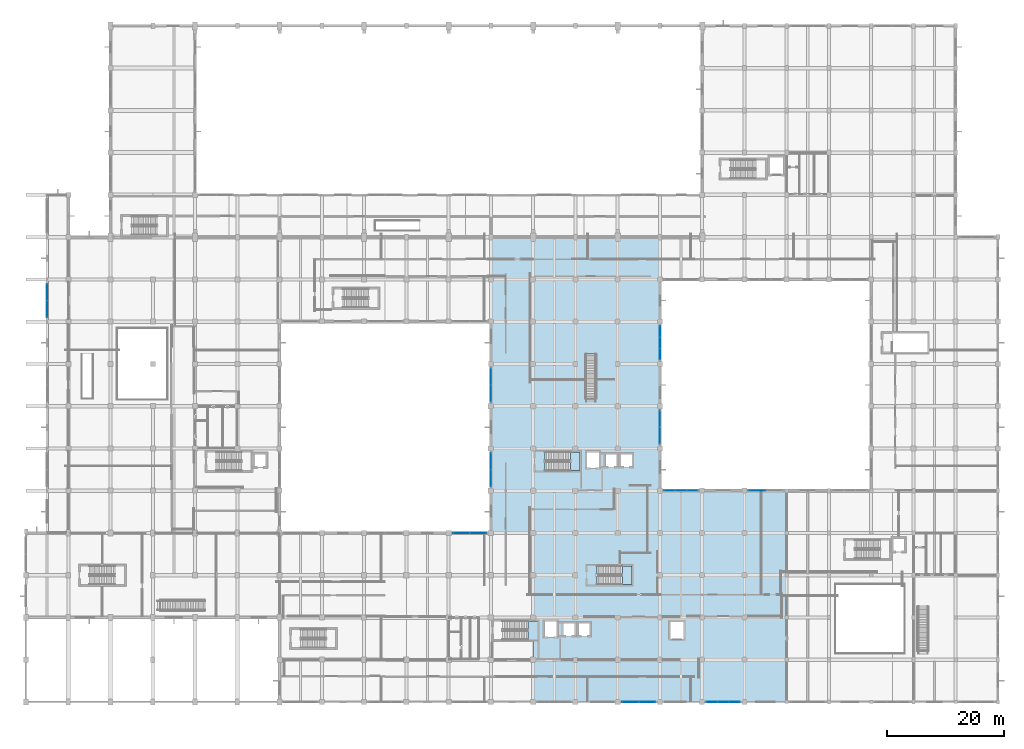
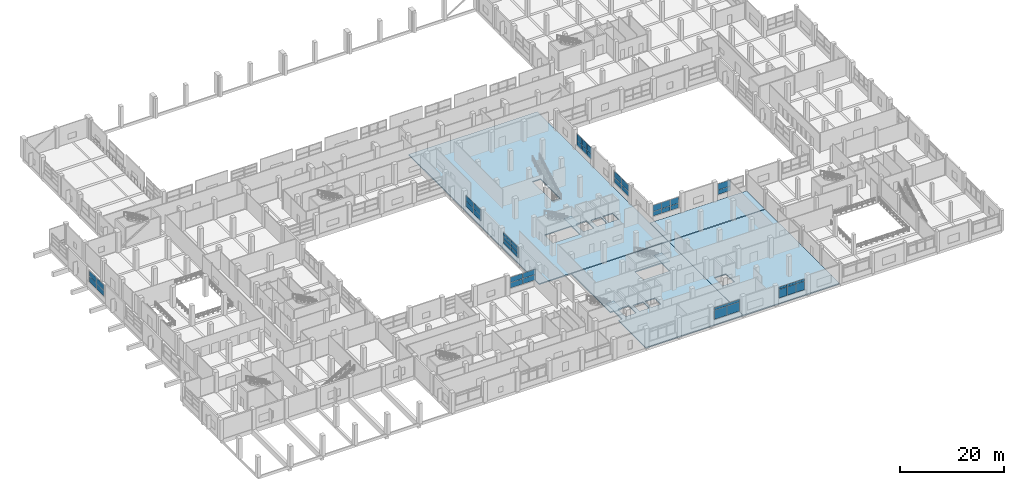
# One storey, part 147 of 181: 46 plates, 7 slabs, 13 elements without a shape of their own.
"""IFC4 building model written with IfcOpenShell, lengths in metres."""

from ifc_helpers import new_model, si_unit, direction, frame, origin, origin_2d, place, context, subcontext, project, spatial, polyline, rectangle, outline, extrude, material, layer, layer_set, type_object, element, aggregate, save


model = new_model("IFC4")

# Units and contexts
model_context = context("Model", 3, precision=1e-05, world=origin(), true_north=direction((0.0, 1.0)))
body_context = subcontext(model_context, "Body", "Model", "MODEL_VIEW")
ifc_project = project(units=[si_unit("LENGTHUNIT", "METRE"), si_unit("AREAUNIT", "SQUARE_METRE"), si_unit("VOLUMEUNIT", "CUBIC_METRE"), si_unit("PLANEANGLEUNIT", "RADIAN"), si_unit("MASSUNIT", "GRAM", prefix="KILO")], contexts=[model_context])

# Site, building, storey
site_placement = place(None, origin())
site = spatial("IfcSite", under=ifc_project, at=site_placement, CompositionType="ELEMENT")
building_placement = place(site_placement, origin())
building = spatial("IfcBuilding", under=site, at=building_placement, Name="Seraya Terrace Polytechnic", CompositionType="ELEMENT")
storey_placement = place(building_placement, frame((0.0, 0.0, 4.800048828125)))
storey = spatial("IfcBuildingStorey", under=building, at=storey_placement, Name="L01", CompositionType="ELEMENT", Elevation=4.800048828125)

# Curtain wall, plates
ifc_material_1 = material(Name="Anodised aluminium EN AW-6063 T6", Category="aluminium")
ifc_layer_1 = layer(ifc_material_1, 0.179931640625, Name="CW-04")
ifc_layer_set_1 = layer_set([ifc_layer_1], Name="Anodised aluminium EN AW-6063 T6")
curtain_wall_type_1 = type_object("IfcCurtainWallType", Name="CW-04", PredefinedType="NOTDEFINED", material=ifc_layer_set_1)
curtain_wall_1_placement = place(storey_placement, origin())
curtain_wall_1 = element("IfcCurtainWall", 1, at=curtain_wall_1_placement, inside=storey, type_object=curtain_wall_type_1, Name="Unitised curtain wall CW-04 (CW-L01-004)", PredefinedType="NOTDEFINED")
ifc_material_2 = material(Name="Laminated solar-control Low-E double glazing", Category="glass")
ifc_layer_2 = layer(ifc_material_2, 0.028076171875, Name="CWP-01")
ifc_layer_set_2 = layer_set([ifc_layer_2], Name="Laminated solar-control Low-E double glazing")
plate_type_1 = type_object("IfcPlateType", Name="CWP-01", PredefinedType="CURTAIN_PANEL", material=ifc_layer_set_2)
plate_1_placement = place(storey_placement, frame((3.60009765625, 66.976318359375, 1.300048828125), z_axis=(0.0, 0.0, 1.0), x_axis=(0.0, 1.0, 0.0)))
plate_1 = element("IfcPlate", 2, at=plate_1_placement, type_object=plate_type_1, Name="CW-04 panel 1.1", PredefinedType="CURTAIN_PANEL", context=body_context, shape_type="SweptSolid", body=[
    extrude(rectangle(XDim=2.782470703125, YDim=0.028076171875, at=origin_2d()), origin(), (0.0, 0.0, 1.0), 1.2900390625),
])
plate_2_placement = place(storey_placement, frame((3.60009765625, 66.976318359375, 2.64990234375), z_axis=(0.0, 0.0, 1.0), x_axis=(0.0, 1.0, 0.0)))
plate_2 = element("IfcPlate", 3, at=plate_2_placement, type_object=plate_type_1, Name="CW-04 panel 1.2", PredefinedType="CURTAIN_PANEL", context=body_context, shape_type="SweptSolid", body=[
    extrude(rectangle(XDim=2.782470703125, YDim=0.028076171875, at=origin_2d()), origin(), (0.0, 0.0, 1.0), 1.2900390625),
])
plate_3_placement = place(storey_placement, frame((3.60009765625, 69.82373046875, 1.300048828125), z_axis=(0.0, 0.0, 1.0), x_axis=(0.0, 1.0, 0.0)))
plate_3 = element("IfcPlate", 4, at=plate_3_placement, type_object=plate_type_1, Name="CW-04 panel 2.1", PredefinedType="CURTAIN_PANEL", context=body_context, shape_type="SweptSolid", body=[
    extrude(rectangle(XDim=2.782470703125, YDim=0.028076171875, at=origin_2d()), origin(), (0.0, 0.0, 1.0), 1.2900390625),
])
plate_4_placement = place(storey_placement, frame((3.60009765625, 69.82373046875, 2.64990234375), z_axis=(0.0, 0.0, 1.0), x_axis=(0.0, 1.0, 0.0)))
plate_4 = element("IfcPlate", 5, at=plate_4_placement, type_object=plate_type_1, Name="CW-04 panel 2.2", PredefinedType="CURTAIN_PANEL", context=body_context, shape_type="SweptSolid", body=[
    extrude(rectangle(XDim=2.782470703125, YDim=0.028076171875, at=origin_2d()), origin(), (0.0, 0.0, 1.0), 1.2900390625),
])
aggregate(curtain_wall_1, [plate_1, plate_2, plate_3, plate_4])

ifc_layer_3 = layer(ifc_material_1, 0.179931640625, Name="CW-31")
ifc_layer_set_3 = layer_set([ifc_layer_3], Name="Anodised aluminium EN AW-6063 T6")
curtain_wall_type_2 = type_object("IfcCurtainWallType", Name="CW-31", PredefinedType="NOTDEFINED", material=ifc_layer_set_3)
curtain_wall_2_placement = place(storey_placement, origin())
curtain_wall_2 = element("IfcCurtainWall", 6, at=curtain_wall_2_placement, inside=storey, type_object=curtain_wall_type_2, Name="Unitised curtain wall CW-31 (CW-L01-031)", PredefinedType="NOTDEFINED")
plate_5_placement = place(storey_placement, frame((105.82373046875, 0.0, 1.2998046875), z_axis=(0.0, 0.0, 1.0), x_axis=(-1.0, 0.0, 0.0)))
plate_5 = element("IfcPlate", 7, at=plate_5_placement, type_object=plate_type_1, Name="CW-31 panel 1.1", PredefinedType="CURTAIN_PANEL", context=body_context, shape_type="SweptSolid", body=[
    extrude(rectangle(XDim=2.782470703125, YDim=0.028076171875, at=origin_2d()), origin(), (0.0, 0.0, 1.0), 2.159912109375),
])
plate_6_placement = place(storey_placement, frame((105.82373046875, 0.0, 3.52001953125), z_axis=(0.0, 0.0, 1.0), x_axis=(-1.0, 0.0, 0.0)))
plate_6 = element("IfcPlate", 8, at=plate_6_placement, type_object=plate_type_1, Name="CW-31 panel 1.2", PredefinedType="CURTAIN_PANEL", context=body_context, shape_type="SweptSolid", body=[
    extrude(rectangle(XDim=2.782470703125, YDim=0.028076171875, at=origin_2d()), origin(), (0.0, 0.0, 1.0), 0.530029296875),
])
plate_7_placement = place(storey_placement, frame((102.976318359375, 0.0, 1.2998046875), z_axis=(0.0, 0.0, 1.0), x_axis=(-1.0, 0.0, 0.0)))
plate_7 = element("IfcPlate", 9, at=plate_7_placement, type_object=plate_type_1, Name="CW-31 panel 2.1", PredefinedType="CURTAIN_PANEL", context=body_context, shape_type="SweptSolid", body=[
    extrude(rectangle(XDim=2.782470703125, YDim=0.028076171875, at=origin_2d()), origin(), (0.0, 0.0, 1.0), 2.159912109375),
])
plate_8_placement = place(storey_placement, frame((102.976318359375, 0.0, 3.52001953125), z_axis=(0.0, 0.0, 1.0), x_axis=(-1.0, 0.0, 0.0)))
plate_8 = element("IfcPlate", 10, at=plate_8_placement, type_object=plate_type_1, Name="CW-31 panel 2.2", PredefinedType="CURTAIN_PANEL", context=body_context, shape_type="SweptSolid", body=[
    extrude(rectangle(XDim=2.782470703125, YDim=0.028076171875, at=origin_2d()), origin(), (0.0, 0.0, 1.0), 0.530029296875),
])
aggregate(curtain_wall_2, [plate_5, plate_6, plate_7, plate_8])

curtain_wall_3_placement = place(storey_placement, origin())
curtain_wall_3 = element("IfcCurtainWall", 11, at=curtain_wall_3_placement, inside=storey, type_object=curtain_wall_type_1, Name="Unitised curtain wall CW-04 (CW-L01-040)", PredefinedType="NOTDEFINED")
plate_9_placement = place(storey_placement, frame((74.17626953125, 28.800048828125, 1.300048828125), z_axis=(0.0, 0.0, 1.0), x_axis=(1.0, 0.0, 0.0)))
plate_9 = element("IfcPlate", 12, at=plate_9_placement, type_object=plate_type_1, Name="CW-04 panel 1.1", PredefinedType="CURTAIN_PANEL", context=body_context, shape_type="SweptSolid", body=[
    extrude(rectangle(XDim=2.782470703125, YDim=0.028076171875, at=origin_2d()), origin(), (0.0, 0.0, 1.0), 1.22998046875),
])
plate_10_placement = place(storey_placement, frame((74.17626953125, 28.800048828125, 2.58984375), z_axis=(0.0, 0.0, 1.0), x_axis=(1.0, 0.0, 0.0)))
plate_10 = element("IfcPlate", 13, at=plate_10_placement, type_object=plate_type_1, Name="CW-04 panel 1.2", PredefinedType="CURTAIN_PANEL", context=body_context, shape_type="SweptSolid", body=[
    extrude(rectangle(XDim=2.782470703125, YDim=0.028076171875, at=origin_2d()), origin(), (0.0, 0.0, 1.0), 1.22998046875),
])
plate_11_placement = place(storey_placement, frame((77.023681640625, 28.800048828125, 1.300048828125), z_axis=(0.0, 0.0, 1.0), x_axis=(1.0, 0.0, 0.0)))
plate_11 = element("IfcPlate", 14, at=plate_11_placement, type_object=plate_type_1, Name="CW-04 panel 2.1", PredefinedType="CURTAIN_PANEL", context=body_context, shape_type="SweptSolid", body=[
    extrude(rectangle(XDim=2.782470703125, YDim=0.028076171875, at=origin_2d()), origin(), (0.0, 0.0, 1.0), 1.22998046875),
])
plate_12_placement = place(storey_placement, frame((77.023681640625, 28.800048828125, 2.58984375), z_axis=(0.0, 0.0, 1.0), x_axis=(1.0, 0.0, 0.0)))
plate_12 = element("IfcPlate", 15, at=plate_12_placement, type_object=plate_type_1, Name="CW-04 panel 2.2", PredefinedType="CURTAIN_PANEL", context=body_context, shape_type="SweptSolid", body=[
    extrude(rectangle(XDim=2.782470703125, YDim=0.028076171875, at=origin_2d()), origin(), (0.0, 0.0, 1.0), 1.22998046875),
])
aggregate(curtain_wall_3, [plate_9, plate_10, plate_11, plate_12])

ifc_layer_4 = layer(ifc_material_1, 0.179931640625, Name="CW-16")
ifc_layer_set_4 = layer_set([ifc_layer_4], Name="Anodised aluminium EN AW-6063 T6")
curtain_wall_type_3 = type_object("IfcCurtainWallType", Name="CW-16", PredefinedType="NOTDEFINED", material=ifc_layer_set_4)
curtain_wall_4_placement = place(storey_placement, origin())
curtain_wall_4 = element("IfcCurtainWall", 16, at=curtain_wall_4_placement, inside=storey, type_object=curtain_wall_type_3, Name="Unitised curtain wall CW-16 (CW-L01-052)", PredefinedType="NOTDEFINED")
plate_13_placement = place(storey_placement, frame((108.0, 48.2236328125, 1.2998046875), z_axis=(0.0, 0.0, 1.0), x_axis=(0.0, -1.0, 0.0)))
plate_13 = element("IfcPlate", 17, at=plate_13_placement, type_object=plate_type_1, Name="CW-16 panel 1.1", PredefinedType="CURTAIN_PANEL", context=body_context, shape_type="SweptSolid", body=[
    extrude(rectangle(XDim=2.782470703125, YDim=0.028076171875, at=origin_2d()), origin(), (0.0, 0.0, 1.0), 1.069091796875),
])
plate_14_placement = place(storey_placement, frame((108.0, 48.2236328125, 2.42919921875), z_axis=(0.0, 0.0, 1.0), x_axis=(0.0, -1.0, 0.0)))
plate_14 = element("IfcPlate", 18, at=plate_14_placement, type_object=plate_type_1, Name="CW-16 panel 1.2", PredefinedType="CURTAIN_PANEL", context=body_context, shape_type="SweptSolid", body=[
    extrude(rectangle(XDim=2.782470703125, YDim=0.028076171875, at=origin_2d()), origin(), (0.0, 0.0, 1.0), 1.5107421875),
])
plate_15_placement = place(storey_placement, frame((108.0, 45.376220703125, 1.2998046875), z_axis=(0.0, 0.0, 1.0), x_axis=(0.0, -1.0, 0.0)))
plate_15 = element("IfcPlate", 19, at=plate_15_placement, type_object=plate_type_1, Name="CW-16 panel 2.1", PredefinedType="CURTAIN_PANEL", context=body_context, shape_type="SweptSolid", body=[
    extrude(rectangle(XDim=2.782470703125, YDim=0.028076171875, at=origin_2d()), origin(), (0.0, 0.0, 1.0), 1.069091796875),
])
plate_16_placement = place(storey_placement, frame((108.0, 45.376220703125, 2.42919921875), z_axis=(0.0, 0.0, 1.0), x_axis=(0.0, -1.0, 0.0)))
plate_16 = element("IfcPlate", 20, at=plate_16_placement, type_object=plate_type_1, Name="CW-16 panel 2.2", PredefinedType="CURTAIN_PANEL", context=body_context, shape_type="SweptSolid", body=[
    extrude(rectangle(XDim=2.782470703125, YDim=0.028076171875, at=origin_2d()), origin(), (0.0, 0.0, 1.0), 1.5107421875),
])
aggregate(curtain_wall_4, [plate_13, plate_14, plate_15, plate_16])

ifc_layer_5 = layer(ifc_material_1, 0.179931640625, Name="CW-05")
ifc_layer_set_5 = layer_set([ifc_layer_5], Name="Anodised aluminium EN AW-6063 T6")
curtain_wall_type_4 = type_object("IfcCurtainWallType", Name="CW-05", PredefinedType="NOTDEFINED", material=ifc_layer_set_5)
curtain_wall_5_placement = place(storey_placement, origin())
curtain_wall_5 = element("IfcCurtainWall", 21, at=curtain_wall_5_placement, inside=storey, type_object=curtain_wall_type_4, Name="Unitised curtain wall CW-05 (CW-L01-041)", PredefinedType="NOTDEFINED")
ifc_layer_6 = layer(ifc_material_2, 0.031982421875, Name="CWP-02")
ifc_layer_set_6 = layer_set([ifc_layer_6], Name="Laminated solar-control Low-E double glazing")
plate_type_2 = type_object("IfcPlateType", Name="CWP-02", PredefinedType="CURTAIN_PANEL", material=ifc_layer_set_6)
plate_17_placement = place(storey_placement, frame((79.199951171875, 38.175048828125, 1.300048828125), z_axis=(0.0, 0.0, 1.0), x_axis=(0.0, 1.0, 0.0)))
plate_17 = element("IfcPlate", 22, at=plate_17_placement, type_object=plate_type_2, Name="CW-05 panel 1.1", PredefinedType="CURTAIN_PANEL", context=body_context, shape_type="SweptSolid", body=[
    extrude(rectangle(XDim=2.7900390625, YDim=0.031982421875, at=origin_2d()), origin(), (0.0, 0.0, 1.0), 0.88916015625),
])
plate_18_placement = place(storey_placement, frame((79.199951171875, 38.175048828125, 2.2490234375), z_axis=(0.0, 0.0, 1.0), x_axis=(0.0, 1.0, 0.0)))
plate_18 = element("IfcPlate", 23, at=plate_18_placement, type_object=plate_type_2, Name="CW-05 panel 1.2", PredefinedType="CURTAIN_PANEL", context=body_context, shape_type="SweptSolid", body=[
    extrude(rectangle(XDim=2.7900390625, YDim=0.031982421875, at=origin_2d()), origin(), (0.0, 0.0, 1.0), 0.919189453125),
])
plate_19_placement = place(storey_placement, frame((79.199951171875, 38.175048828125, 3.228515625), z_axis=(0.0, 0.0, 1.0), x_axis=(0.0, 1.0, 0.0)))
plate_19 = element("IfcPlate", 24, at=plate_19_placement, type_object=plate_type_2, Name="CW-05 panel 1.3", PredefinedType="CURTAIN_PANEL", context=body_context, shape_type="SweptSolid", body=[
    extrude(rectangle(XDim=2.7900390625, YDim=0.031982421875, at=origin_2d()), origin(), (0.0, 0.0, 1.0), 0.671630859375),
])
plate_20_placement = place(storey_placement, frame((79.199951171875, 41.02490234375, 1.300048828125), z_axis=(0.0, 0.0, 1.0), x_axis=(0.0, 1.0, 0.0)))
plate_20 = element("IfcPlate", 25, at=plate_20_placement, type_object=plate_type_2, Name="CW-05 panel 2.1", PredefinedType="CURTAIN_PANEL", context=body_context, shape_type="SweptSolid", body=[
    extrude(rectangle(XDim=2.7900390625, YDim=0.031982421875, at=origin_2d()), origin(), (0.0, 0.0, 1.0), 0.88916015625),
])
plate_21_placement = place(storey_placement, frame((79.199951171875, 41.02490234375, 2.2490234375), z_axis=(0.0, 0.0, 1.0), x_axis=(0.0, 1.0, 0.0)))
plate_21 = element("IfcPlate", 26, at=plate_21_placement, type_object=plate_type_2, Name="CW-05 panel 2.2", PredefinedType="CURTAIN_PANEL", context=body_context, shape_type="SweptSolid", body=[
    extrude(rectangle(XDim=2.7900390625, YDim=0.031982421875, at=origin_2d()), origin(), (0.0, 0.0, 1.0), 0.919189453125),
])
plate_22_placement = place(storey_placement, frame((79.199951171875, 41.02490234375, 3.228515625), z_axis=(0.0, 0.0, 1.0), x_axis=(0.0, 1.0, 0.0)))
plate_22 = element("IfcPlate", 27, at=plate_22_placement, type_object=plate_type_2, Name="CW-05 panel 2.3", PredefinedType="CURTAIN_PANEL", context=body_context, shape_type="SweptSolid", body=[
    extrude(rectangle(XDim=2.7900390625, YDim=0.031982421875, at=origin_2d()), origin(), (0.0, 0.0, 1.0), 0.671630859375),
])
aggregate(curtain_wall_5, [plate_17, plate_18, plate_19, plate_20, plate_21, plate_22])

ifc_layer_7 = layer(ifc_material_1, 0.179931640625, Name="CW-17")
ifc_layer_set_7 = layer_set([ifc_layer_7], Name="Anodised aluminium EN AW-6063 T6")
curtain_wall_type_5 = type_object("IfcCurtainWallType", Name="CW-17", PredefinedType="NOTDEFINED", material=ifc_layer_set_7)
curtain_wall_6_placement = place(storey_placement, origin())
curtain_wall_6 = element("IfcCurtainWall", 28, at=curtain_wall_6_placement, inside=storey, type_object=curtain_wall_type_5, Name="Unitised curtain wall CW-17 (CW-L01-053)", PredefinedType="NOTDEFINED")
plate_23_placement = place(storey_placement, frame((109.695068359375, 36.0, 1.2998046875), z_axis=(0.0, 0.0, 1.0), x_axis=(1.0, 0.0, 0.0)))
plate_23 = element("IfcPlate", 29, at=plate_23_placement, type_object=plate_type_2, Name="CW-17 panel 1.1", PredefinedType="CURTAIN_PANEL", context=body_context, shape_type="SweptSolid", body=[
    extrude(rectangle(XDim=1.830078125, YDim=0.031982421875, at=origin_2d()), origin(), (0.0, 0.0, 1.0), 1.018798828125),
])
plate_24_placement = place(storey_placement, frame((109.695068359375, 36.0, 2.37890625), z_axis=(0.0, 0.0, 1.0), x_axis=(1.0, 0.0, 0.0)))
plate_24 = element("IfcPlate", 30, at=plate_24_placement, type_object=plate_type_2, Name="CW-17 panel 1.2", PredefinedType="CURTAIN_PANEL", context=body_context, shape_type="SweptSolid", body=[
    extrude(rectangle(XDim=1.830078125, YDim=0.031982421875, at=origin_2d()), origin(), (0.0, 0.0, 1.0), 1.441162109375),
])
plate_25_placement = place(storey_placement, frame((111.60009765625, 36.0, 1.2998046875), z_axis=(0.0, 0.0, 1.0), x_axis=(1.0, 0.0, 0.0)))
plate_25 = element("IfcPlate", 31, at=plate_25_placement, type_object=plate_type_2, Name="CW-17 panel 2.1", PredefinedType="CURTAIN_PANEL", context=body_context, shape_type="SweptSolid", body=[
    extrude(rectangle(XDim=1.860107421875, YDim=0.031982421875, at=origin_2d()), origin(), (0.0, 0.0, 1.0), 1.018798828125),
])
plate_26_placement = place(storey_placement, frame((111.60009765625, 36.0, 2.37890625), z_axis=(0.0, 0.0, 1.0), x_axis=(1.0, 0.0, 0.0)))
plate_26 = element("IfcPlate", 32, at=plate_26_placement, type_object=plate_type_2, Name="CW-17 panel 2.2", PredefinedType="CURTAIN_PANEL", context=body_context, shape_type="SweptSolid", body=[
    extrude(rectangle(XDim=1.860107421875, YDim=0.031982421875, at=origin_2d()), origin(), (0.0, 0.0, 1.0), 1.441162109375),
])
plate_27_placement = place(storey_placement, frame((113.5048828125, 36.0, 1.2998046875), z_axis=(0.0, 0.0, 1.0), x_axis=(1.0, 0.0, 0.0)))
plate_27 = element("IfcPlate", 33, at=plate_27_placement, type_object=plate_type_2, Name="CW-17 panel 3.1", PredefinedType="CURTAIN_PANEL", context=body_context, shape_type="SweptSolid", body=[
    extrude(rectangle(XDim=1.830078125, YDim=0.031982421875, at=origin_2d()), origin(), (0.0, 0.0, 1.0), 1.018798828125),
])
plate_28_placement = place(storey_placement, frame((113.5048828125, 36.0, 2.37890625), z_axis=(0.0, 0.0, 1.0), x_axis=(1.0, 0.0, 0.0)))
plate_28 = element("IfcPlate", 34, at=plate_28_placement, type_object=plate_type_2, Name="CW-17 panel 3.2", PredefinedType="CURTAIN_PANEL", context=body_context, shape_type="SweptSolid", body=[
    extrude(rectangle(XDim=1.830078125, YDim=0.031982421875, at=origin_2d()), origin(), (0.0, 0.0, 1.0), 1.441162109375),
])
aggregate(curtain_wall_6, [plate_23, plate_24, plate_25, plate_26, plate_27, plate_28])

ifc_layer_8 = layer(ifc_material_1, 0.179931640625, Name="CW-30")
ifc_layer_set_8 = layer_set([ifc_layer_8], Name="Anodised aluminium EN AW-6063 T6")
curtain_wall_type_6 = type_object("IfcCurtainWallType", Name="CW-30", PredefinedType="NOTDEFINED", material=ifc_layer_set_8)
curtain_wall_7_placement = place(storey_placement, origin())
curtain_wall_7 = element("IfcCurtainWall", 35, at=curtain_wall_7_placement, inside=storey, type_object=curtain_wall_type_6, Name="Unitised curtain wall CW-30 (CW-L01-030)", PredefinedType="NOTDEFINED")
ifc_layer_9 = layer(ifc_material_2, 0.035888671875, Name="CWP-03")
ifc_layer_set_9 = layer_set([ifc_layer_9], Name="Laminated solar-control Low-E double glazing")
plate_type_3 = type_object("IfcPlateType", Name="CWP-03", PredefinedType="CURTAIN_PANEL", material=ifc_layer_set_9)
plate_29_placement = place(storey_placement, frame((120.705078125, 0.0, 1.294921875), z_axis=(0.0, 0.0, 1.0), x_axis=(-1.0, 0.0, 0.0)))
plate_29 = element("IfcPlate", 36, at=plate_29_placement, type_object=plate_type_3, Name="CW-30 panel 1.1", PredefinedType="CURTAIN_PANEL", context=body_context, shape_type="SweptSolid", body=[
    extrude(rectangle(XDim=1.830078125, YDim=0.035888671875, at=origin_2d()), origin(), (0.0, 0.0, 1.0), 1.9775390625),
])
plate_30_placement = place(storey_placement, frame((120.705078125, 0.0, 3.327392578125), z_axis=(0.0, 0.0, 1.0), x_axis=(-1.0, 0.0, 0.0)))
plate_30 = element("IfcPlate", 37, at=plate_30_placement, type_object=plate_type_3, Name="CW-30 panel 1.2", PredefinedType="CURTAIN_PANEL", context=body_context, shape_type="SweptSolid", body=[
    extrude(rectangle(XDim=1.830078125, YDim=0.035888671875, at=origin_2d()), origin(), (0.0, 0.0, 1.0), 0.53759765625),
])
plate_31_placement = place(storey_placement, frame((118.800048828125, 0.0, 1.294921875), z_axis=(0.0, 0.0, 1.0), x_axis=(-1.0, 0.0, 0.0)))
plate_31 = element("IfcPlate", 38, at=plate_31_placement, type_object=plate_type_3, Name="CW-30 panel 2.1", PredefinedType="CURTAIN_PANEL", context=body_context, shape_type="SweptSolid", body=[
    extrude(rectangle(XDim=1.860107421875, YDim=0.035888671875, at=origin_2d()), origin(), (0.0, 0.0, 1.0), 1.9775390625),
])
plate_32_placement = place(storey_placement, frame((118.800048828125, 0.0, 3.327392578125), z_axis=(0.0, 0.0, 1.0), x_axis=(-1.0, 0.0, 0.0)))
plate_32 = element("IfcPlate", 39, at=plate_32_placement, type_object=plate_type_3, Name="CW-30 panel 2.2", PredefinedType="CURTAIN_PANEL", context=body_context, shape_type="SweptSolid", body=[
    extrude(rectangle(XDim=1.860107421875, YDim=0.035888671875, at=origin_2d()), origin(), (0.0, 0.0, 1.0), 0.53759765625),
])
plate_33_placement = place(storey_placement, frame((116.89501953125, 0.0, 1.294921875), z_axis=(0.0, 0.0, 1.0), x_axis=(-1.0, 0.0, 0.0)))
plate_33 = element("IfcPlate", 40, at=plate_33_placement, type_object=plate_type_3, Name="CW-30 panel 3.1", PredefinedType="CURTAIN_PANEL", context=body_context, shape_type="SweptSolid", body=[
    extrude(rectangle(XDim=1.830078125, YDim=0.035888671875, at=origin_2d()), origin(), (0.0, 0.0, 1.0), 1.9775390625),
])
plate_34_placement = place(storey_placement, frame((116.89501953125, 0.0, 3.327392578125), z_axis=(0.0, 0.0, 1.0), x_axis=(-1.0, 0.0, 0.0)))
plate_34 = element("IfcPlate", 41, at=plate_34_placement, type_object=plate_type_3, Name="CW-30 panel 3.2", PredefinedType="CURTAIN_PANEL", context=body_context, shape_type="SweptSolid", body=[
    extrude(rectangle(XDim=1.830078125, YDim=0.035888671875, at=origin_2d()), origin(), (0.0, 0.0, 1.0), 0.53759765625),
])
aggregate(curtain_wall_7, [plate_29, plate_30, plate_31, plate_32, plate_33, plate_34])

ifc_layer_10 = layer(ifc_material_1, 0.179931640625, Name="CW-06")
ifc_layer_set_10 = layer_set([ifc_layer_10], Name="Anodised aluminium EN AW-6063 T6")
curtain_wall_type_7 = type_object("IfcCurtainWallType", Name="CW-06", PredefinedType="NOTDEFINED", material=ifc_layer_set_10)
curtain_wall_8_placement = place(storey_placement, origin())
curtain_wall_8 = element("IfcCurtainWall", 42, at=curtain_wall_8_placement, inside=storey, type_object=curtain_wall_type_7, Name="Unitised curtain wall CW-06 (CW-L01-042)", PredefinedType="NOTDEFINED")
plate_35_placement = place(storey_placement, frame((79.199951171875, 52.574951171875, 1.294921875), z_axis=(0.0, 0.0, 1.0), x_axis=(0.0, 1.0, 0.0)))
plate_35 = element("IfcPlate", 43, at=plate_35_placement, type_object=plate_type_3, Name="CW-06 panel 1.1", PredefinedType="CURTAIN_PANEL", context=body_context, shape_type="SweptSolid", body=[
    extrude(rectangle(XDim=2.7900390625, YDim=0.035888671875, at=origin_2d()), origin(), (0.0, 0.0, 1.0), 1.257568359375),
])
plate_36_placement = place(storey_placement, frame((79.199951171875, 52.574951171875, 2.607421875), z_axis=(0.0, 0.0, 1.0), x_axis=(0.0, 1.0, 0.0)))
plate_36 = element("IfcPlate", 44, at=plate_36_placement, type_object=plate_type_3, Name="CW-06 panel 1.2", PredefinedType="CURTAIN_PANEL", context=body_context, shape_type="SweptSolid", body=[
    extrude(rectangle(XDim=2.7900390625, YDim=0.035888671875, at=origin_2d()), origin(), (0.0, 0.0, 1.0), 1.257568359375),
])
plate_37_placement = place(storey_placement, frame((79.199951171875, 55.425048828125, 1.294921875), z_axis=(0.0, 0.0, 1.0), x_axis=(0.0, 1.0, 0.0)))
plate_37 = element("IfcPlate", 45, at=plate_37_placement, type_object=plate_type_3, Name="CW-06 panel 2.1", PredefinedType="CURTAIN_PANEL", context=body_context, shape_type="SweptSolid", body=[
    extrude(rectangle(XDim=2.7900390625, YDim=0.035888671875, at=origin_2d()), origin(), (0.0, 0.0, 1.0), 1.257568359375),
])
plate_38_placement = place(storey_placement, frame((79.199951171875, 55.425048828125, 2.607421875), z_axis=(0.0, 0.0, 1.0), x_axis=(0.0, 1.0, 0.0)))
plate_38 = element("IfcPlate", 46, at=plate_38_placement, type_object=plate_type_3, Name="CW-06 panel 2.2", PredefinedType="CURTAIN_PANEL", context=body_context, shape_type="SweptSolid", body=[
    extrude(rectangle(XDim=2.7900390625, YDim=0.035888671875, at=origin_2d()), origin(), (0.0, 0.0, 1.0), 1.257568359375),
])
aggregate(curtain_wall_8, [plate_35, plate_36, plate_37, plate_38])

ifc_layer_11 = layer(ifc_material_1, 0.179931640625, Name="CW-15")
ifc_layer_set_11 = layer_set([ifc_layer_11], Name="Anodised aluminium EN AW-6063 T6")
curtain_wall_type_8 = type_object("IfcCurtainWallType", Name="CW-15", PredefinedType="NOTDEFINED", material=ifc_layer_set_11)
curtain_wall_9_placement = place(storey_placement, origin())
curtain_wall_9 = element("IfcCurtainWall", 47, at=curtain_wall_9_placement, inside=storey, type_object=curtain_wall_type_8, Name="Unitised curtain wall CW-15 (CW-L01-051)", PredefinedType="NOTDEFINED")
plate_39_placement = place(storey_placement, frame((108.0, 63.10498046875, 1.294921875), z_axis=(0.0, 0.0, 1.0), x_axis=(0.0, -1.0, 0.0)))
plate_39 = element("IfcPlate", 48, at=plate_39_placement, type_object=plate_type_3, Name="CW-15 panel 1.1", PredefinedType="CURTAIN_PANEL", context=body_context, shape_type="SweptSolid", body=[
    extrude(rectangle(XDim=1.830078125, YDim=0.035888671875, at=origin_2d()), origin(), (0.0, 0.0, 1.0), 1.093505859375),
])
plate_40_placement = place(storey_placement, frame((108.0, 63.10498046875, 2.443359375), z_axis=(0.0, 0.0, 1.0), x_axis=(0.0, -1.0, 0.0)))
plate_40 = element("IfcPlate", 49, at=plate_40_placement, type_object=plate_type_3, Name="CW-15 panel 1.2", PredefinedType="CURTAIN_PANEL", context=body_context, shape_type="SweptSolid", body=[
    extrude(rectangle(XDim=1.830078125, YDim=0.035888671875, at=origin_2d()), origin(), (0.0, 0.0, 1.0), 1.54150390625),
])
plate_41_placement = place(storey_placement, frame((108.0, 61.199951171875, 1.294921875), z_axis=(0.0, 0.0, 1.0), x_axis=(0.0, -1.0, 0.0)))
plate_41 = element("IfcPlate", 50, at=plate_41_placement, type_object=plate_type_3, Name="CW-15 panel 2.1", PredefinedType="CURTAIN_PANEL", context=body_context, shape_type="SweptSolid", body=[
    extrude(rectangle(XDim=1.860107421875, YDim=0.035888671875, at=origin_2d()), origin(), (0.0, 0.0, 1.0), 1.093505859375),
])
plate_42_placement = place(storey_placement, frame((108.0, 61.199951171875, 2.443359375), z_axis=(0.0, 0.0, 1.0), x_axis=(0.0, -1.0, 0.0)))
plate_42 = element("IfcPlate", 51, at=plate_42_placement, type_object=plate_type_3, Name="CW-15 panel 2.2", PredefinedType="CURTAIN_PANEL", context=body_context, shape_type="SweptSolid", body=[
    extrude(rectangle(XDim=1.860107421875, YDim=0.035888671875, at=origin_2d()), origin(), (0.0, 0.0, 1.0), 1.54150390625),
])
plate_43_placement = place(storey_placement, frame((108.0, 59.294921875, 1.294921875), z_axis=(0.0, 0.0, 1.0), x_axis=(0.0, -1.0, 0.0)))
plate_43 = element("IfcPlate", 52, at=plate_43_placement, type_object=plate_type_3, Name="CW-15 panel 3.1", PredefinedType="CURTAIN_PANEL", context=body_context, shape_type="SweptSolid", body=[
    extrude(rectangle(XDim=1.830078125, YDim=0.035888671875, at=origin_2d()), origin(), (0.0, 0.0, 1.0), 1.093505859375),
])
plate_44_placement = place(storey_placement, frame((108.0, 59.294921875, 2.443359375), z_axis=(0.0, 0.0, 1.0), x_axis=(0.0, -1.0, 0.0)))
plate_44 = element("IfcPlate", 53, at=plate_44_placement, type_object=plate_type_3, Name="CW-15 panel 3.2", PredefinedType="CURTAIN_PANEL", context=body_context, shape_type="SweptSolid", body=[
    extrude(rectangle(XDim=1.830078125, YDim=0.035888671875, at=origin_2d()), origin(), (0.0, 0.0, 1.0), 1.54150390625),
])
aggregate(curtain_wall_9, [plate_39, plate_40, plate_41, plate_42, plate_43, plate_44])

ifc_layer_12 = layer(ifc_material_1, 0.179931640625, Name="CW-18")
ifc_layer_set_12 = layer_set([ifc_layer_12], Name="Anodised aluminium EN AW-6063 T6")
curtain_wall_type_9 = type_object("IfcCurtainWallType", Name="CW-18", PredefinedType="NOTDEFINED", material=ifc_layer_set_12)
curtain_wall_10_placement = place(storey_placement, origin())
curtain_wall_10 = element("IfcCurtainWall", 54, at=curtain_wall_10_placement, inside=storey, type_object=curtain_wall_type_9, Name="Unitised curtain wall CW-18 (CW-L01-054)", PredefinedType="NOTDEFINED")
plate_45_placement = place(storey_placement, frame((124.574951171875, 36.0, 1.294921875), z_axis=(0.0, 0.0, 1.0), x_axis=(1.0, 0.0, 0.0)))
plate_45 = element("IfcPlate", 55, at=plate_45_placement, type_object=plate_type_3, Name="CW-18 panel 1.1", PredefinedType="CURTAIN_PANEL", context=body_context, shape_type="SweptSolid", body=[
    extrude(rectangle(XDim=2.7900390625, YDim=0.035888671875, at=origin_2d()), origin(), (0.0, 0.0, 1.0), 1.0263671875),
])
plate_46_placement = place(storey_placement, frame((124.574951171875, 36.0, 2.376220703125), z_axis=(0.0, 0.0, 1.0), x_axis=(1.0, 0.0, 0.0)))
plate_46 = element("IfcPlate", 56, at=plate_46_placement, type_object=plate_type_3, Name="CW-18 panel 1.2", PredefinedType="CURTAIN_PANEL", context=body_context, shape_type="SweptSolid", body=[
    extrude(rectangle(XDim=2.7900390625, YDim=0.035888671875, at=origin_2d()), origin(), (0.0, 0.0, 1.0), 1.44873046875),
])
aggregate(curtain_wall_10, [plate_45, plate_46])

# Slabs
ifc_material_3 = material(Name="Concrete C40/50", Category="concrete")
ifc_layer_13 = layer(ifc_material_3, 0.260009765625, Name="FS-02")
ifc_layer_set_13 = layer_set([ifc_layer_13], Name="Concrete C40/50")
slab_type_1 = type_object("IfcSlabType", Name="FS-02", PredefinedType="FLOOR", material=ifc_layer_set_13)
slab_1_placement = place(storey_placement, frame((0.0, 0.0, -0.260009765625)))
element("IfcSlab", 57, at=slab_1_placement, inside=storey, type_object=slab_type_1, Name="Floor slab SLB-V2-SOUTH-L01-S3 (FS-02)", PredefinedType="FLOOR", context=body_context, shape_type="SweptSolid", body=[
    extrude(outline(polyline([(108.0, 28.739990234375), (108.0, 0.06005859375), (86.405029296875, 0.06005859375), (86.405029296875, 10.60009765625), (87.199951171875, 10.60009765625), (87.199951171875, 13.800048828125), (86.405029296875, 13.800048828125), (86.405029296875, 28.739990234375), (108.0, 28.739990234375)]), holes=[polyline([(93.60009765625, 13.60009765625), (91.39990234375, 13.60009765625), (91.39990234375, 11.199951171875), (93.60009765625, 11.199951171875), (93.60009765625, 13.60009765625)]), polyline([(90.60009765625, 13.89990234375), (88.199951171875, 13.89990234375), (88.199951171875, 11.0), (90.60009765625, 11.0), (90.60009765625, 13.89990234375)]), polyline([(96.199951171875, 13.60009765625), (94.0, 13.60009765625), (94.0, 11.199951171875), (96.199951171875, 11.199951171875), (96.199951171875, 13.60009765625)]), polyline([(103.25, 23.199951171875), (97.2900390625, 23.199951171875), (97.2900390625, 20.0), (103.25, 20.0), (103.25, 23.199951171875)])]), origin(), (0.0, 0.0, 1.0), 0.260009765625),
])
slab_2_placement = place(storey_placement, frame((0.0, 0.0, -0.260009765625)))
element("IfcSlab", 58, at=slab_2_placement, inside=storey, type_object=slab_type_1, Name="Floor slab SLB-V2-SOUTH-L01-S4 (FS-02)", PredefinedType="FLOOR", context=body_context, shape_type="SweptSolid", body=[
    extrude(outline(polyline([(129.5400390625, 28.739990234375), (129.5400390625, 0.06005859375), (108.0048828125, 0.06005859375), (108.0048828125, 28.739990234375), (129.5400390625, 28.739990234375)]), holes=[polyline([(109.60009765625, 13.800048828125), (109.60009765625, 10.60009765625), (112.199951171875, 10.60009765625), (112.199951171875, 13.800048828125), (109.60009765625, 13.800048828125)])]), origin(), (0.0, 0.0, 1.0), 0.260009765625),
])
slab_3_placement = place(storey_placement, frame((0.0, 0.0, -0.260009765625)))
element("IfcSlab", 59, at=slab_3_placement, inside=storey, type_object=slab_type_1, Name="Floor slab SLB-V2-SELINK-L01-S1 (FS-02)", PredefinedType="FLOOR", context=body_context, shape_type="SweptSolid", body=[
    extrude(outline(polyline([(108.06005859375, 35.93994140625), (129.5400390625, 35.93994140625), (129.5400390625, 28.860107421875), (108.06005859375, 28.860107421875), (108.06005859375, 35.93994140625)])), origin(), (0.0, 0.0, 1.0), 0.260009765625),
])
ifc_layer_14 = layer(ifc_material_3, 0.25, Name="FS-03")
ifc_layer_set_14 = layer_set([ifc_layer_14], Name="Concrete C40/50")
slab_type_2 = type_object("IfcSlabType", Name="FS-03", PredefinedType="FLOOR", material=ifc_layer_set_14)
slab_4_placement = place(storey_placement, frame((0.0, 0.0, -0.25)))
element("IfcSlab", 60, at=slab_4_placement, inside=storey, type_object=slab_type_2, Name="Floor slab SLB-V2-SPINE-L01-S1 (FS-03)", PredefinedType="FLOOR", context=body_context, shape_type="SweptSolid", body=[
    extrude(outline(polyline([(79.260009765625, 79.139892578125), (107.93994140625, 79.139892578125), (107.93994140625, 28.860107421875), (79.260009765625, 28.860107421875), (79.260009765625, 79.139892578125)]), holes=[polyline([(88.43994140625, 42.60009765625), (88.43994140625, 39.39990234375), (94.39990234375, 39.39990234375), (94.39990234375, 42.60009765625), (88.43994140625, 42.60009765625)]), polyline([(98.60009765625, 42.39990234375), (98.60009765625, 40.0), (100.800048828125, 40.0), (100.800048828125, 42.39990234375), (98.60009765625, 42.39990234375)]), polyline([(103.39990234375, 42.39990234375), (101.199951171875, 42.39990234375), (101.199951171875, 40.0), (103.39990234375, 40.0), (103.39990234375, 42.39990234375)]), polyline([(97.800048828125, 42.699951171875), (95.39990234375, 42.699951171875), (95.39990234375, 39.800048828125), (97.800048828125, 39.800048828125), (97.800048828125, 42.699951171875)]), polyline([(97.1298828125, 59.280029296875), (95.35009765625, 59.280029296875), (95.35009765625, 51.760009765625), (97.1298828125, 51.760009765625), (97.1298828125, 59.280029296875)])]), origin(), (0.0, 0.0, 1.0), 0.25),
])

# Stair, slab
stair_type = type_object("IfcStairType", Name="ST-T1", PredefinedType="HALF_TURN_STAIR", material=ifc_material_3)
stair_1_placement = place(storey_placement, origin())
stair_1 = element("IfcStair", 61, at=stair_1_placement, inside=storey, type_object=stair_type, Name="L01 Protected exit stair ST-01", PredefinedType="HALF_TURN_STAIR")
ifc_layer_15 = layer(ifc_material_3, 0.199951171875, Name="SL-01")
ifc_layer_set_15 = layer_set([ifc_layer_15], Name="Concrete C40/50")
slab_type_3 = type_object("IfcSlabType", Name="SL-01", PredefinedType="LANDING", material=ifc_layer_set_15)
slab_5_placement = place(storey_placement, frame((0.0, 0.0, 2.199951171875)))
slab_5 = element("IfcSlab", 62, at=slab_5_placement, type_object=slab_type_3, Name="ST-01 landing 1", PredefinedType="LANDING", context=body_context, shape_type="SweptSolid", body=[
    extrude(outline(polyline([(85.550048828125, 10.60009765625), (87.199951171875, 10.60009765625), (87.199951171875, 13.800048828125), (85.550048828125, 13.800048828125), (85.550048828125, 10.60009765625)])), origin(), (0.0, 0.0, 1.0), 0.199951171875),
])
aggregate(stair_1, [slab_5])

stair_2_placement = place(storey_placement, origin())
stair_2 = element("IfcStair", 63, at=stair_2_placement, inside=storey, type_object=stair_type, Name="L01 Protected exit stair ST-02", PredefinedType="HALF_TURN_STAIR")
slab_6_placement = place(storey_placement, frame((0.0, 0.0, 2.199951171875)))
slab_6 = element("IfcSlab", 64, at=slab_6_placement, type_object=slab_type_3, Name="ST-02 landing 1", PredefinedType="LANDING", context=body_context, shape_type="SweptSolid", body=[
    extrude(outline(polyline([(92.75, 39.39990234375), (94.39990234375, 39.39990234375), (94.39990234375, 42.60009765625), (92.75, 42.60009765625), (92.75, 39.39990234375)])), origin(), (0.0, 0.0, 1.0), 0.199951171875),
])
aggregate(stair_2, [slab_6])

stair_3_placement = place(storey_placement, origin())
stair_3 = element("IfcStair", 65, at=stair_3_placement, inside=storey, type_object=stair_type, Name="L01 Protected exit stair ST-05", PredefinedType="HALF_TURN_STAIR")
slab_7_placement = place(storey_placement, frame((0.0, 0.0, 2.199951171875)))
slab_7 = element("IfcSlab", 66, at=slab_7_placement, type_object=slab_type_3, Name="ST-05 landing 1", PredefinedType="LANDING", context=body_context, shape_type="SweptSolid", body=[
    extrude(outline(polyline([(101.60009765625, 20.0), (103.25, 20.0), (103.25, 23.199951171875), (101.60009765625, 23.199951171875), (101.60009765625, 20.0)])), origin(), (0.0, 0.0, 1.0), 0.199951171875),
])
aggregate(stair_3, [slab_7])

save(model, "model.ifc")
